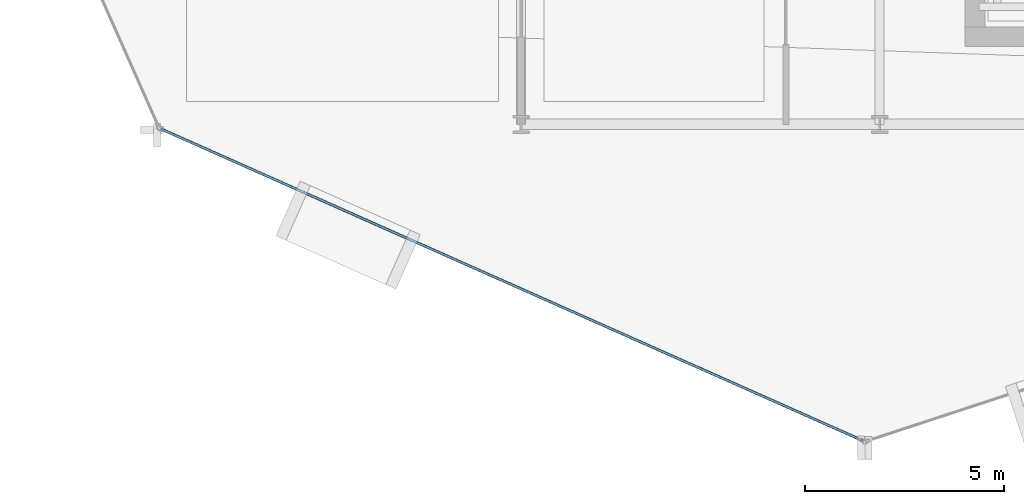
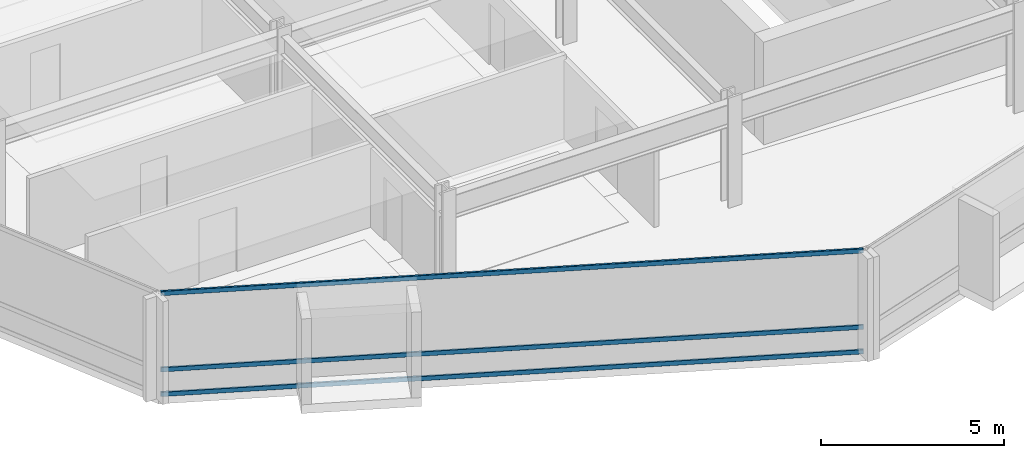
# One storey, part 3 of 28: 3 members, 1 element without a shape of its own.
"""IFC4 building model written with IfcOpenShell, lengths in metres."""

from ifc_helpers import new_model, si_unit, direction, frame, origin, origin_2d, place, context, subcontext, project, spatial, hollow_rectangle, extrude, material, layer, layer_set, material_profile, profile_set, type_object, element, aggregate, save


model = new_model("IFC4")

# Units and contexts
model_context = context("Model", 3, precision=1e-05, world=origin(), true_north=direction((0.0, 1.0)))
body_context = subcontext(model_context, "Body", "Model", "MODEL_VIEW")
ifc_project = project(units=[si_unit("LENGTHUNIT", "METRE"), si_unit("AREAUNIT", "SQUARE_METRE"), si_unit("VOLUMEUNIT", "CUBIC_METRE"), si_unit("PLANEANGLEUNIT", "RADIAN"), si_unit("MASSUNIT", "GRAM", prefix="KILO")], contexts=[model_context])

# Site, building, storey
site_placement = place(None, origin())
site = spatial("IfcSite", under=ifc_project, at=site_placement, CompositionType="ELEMENT")
building_placement = place(site_placement, origin())
building = spatial("IfcBuilding", under=site, at=building_placement, Name="Solvaryn Broadcast Tower", CompositionType="ELEMENT")
storey_placement = place(building_placement, frame((0.0, 0.0, 132.199951171875)))
storey = spatial("IfcBuildingStorey", under=building, at=storey_placement, Name="L32", CompositionType="ELEMENT", Elevation=132.199951171875)

# Curtain wall, members
ifc_material_1 = material(Name="Aluminium and Terracotta Unitised Curtain Wall", Category="masonry")
ifc_layer = layer(ifc_material_1, 0.199951171875)
ifc_layer_set = layer_set([ifc_layer], Name="CW-SYS2-LOWMID")
curtain_wall_type = type_object("IfcCurtainWallType", Name="CW-SYS2-LOWMID", PredefinedType="NOTDEFINED", material=ifc_layer_set)
curtain_wall_placement = place(storey_placement, origin())
curtain_wall = element("IfcCurtainWall", 1, at=curtain_wall_placement, inside=storey, type_object=curtain_wall_type, Name="L32 Curtain Wall DR3", PredefinedType="NOTDEFINED")
ifc_material_2 = material(Name="Anodised Aluminium 6063-T6", Category="aluminium")
ifc_material_profile = material_profile(ifc_material_2, hollow_rectangle(XDim=0.06494140625, YDim=0.14990234375, WallThickness=0.00390625, InnerFilletRadius=0.00390625, OuterFilletRadius=0.008056640625, at=origin_2d()))
ifc_profile_set = profile_set([ifc_material_profile], Name="Anodised Aluminium 6063-T6")
member_type = type_object("IfcMemberType", Name="CW-TRN-150", PredefinedType="USERDEFINED", material=ifc_profile_set)
member_1_placement = place(storey_placement, frame((8.962890625, 8.883544921875, 0.030029296875), z_axis=(0.913909703223, -0.405917546252, 0.0), x_axis=(0.405917546252, 0.913909703223, 0.0)))
member_1 = element("IfcMember", 2, at=member_1_placement, type_object=member_type, Name="CWS2 transom 1.1", ObjectType="TRANSOM", PredefinedType="USERDEFINED", context=body_context, shape_type="SweptSolid", body=[
    extrude(hollow_rectangle(XDim=0.06494140625, YDim=0.14990234375, WallThickness=0.00390625, InnerFilletRadius=0.00390625, OuterFilletRadius=0.008056640625, at=origin_2d()), origin(), (0.0, 0.0, 1.0), 19.27783203125),
])
member_2_placement = place(storey_placement, frame((8.962890625, 8.883544921875, 0.85009765625), z_axis=(0.913909703223, -0.405917546252, 0.0), x_axis=(0.405917546252, 0.913909703223, 0.0)))
member_2 = element("IfcMember", 3, at=member_2_placement, type_object=member_type, Name="CWS2 transom 1.2", ObjectType="TRANSOM", PredefinedType="USERDEFINED", context=body_context, shape_type="SweptSolid", body=[
    extrude(hollow_rectangle(XDim=0.06494140625, YDim=0.14990234375, WallThickness=0.00390625, InnerFilletRadius=0.00390625, OuterFilletRadius=0.008056640625, at=origin_2d()), origin(), (0.0, 0.0, 1.0), 19.27783203125),
])
member_3_placement = place(storey_placement, frame((8.962890625, 8.883544921875, 3.39013671875), z_axis=(0.913909703223, -0.405917546252, 0.0), x_axis=(0.405917546252, 0.913909703223, 0.0)))
member_3 = element("IfcMember", 4, at=member_3_placement, type_object=member_type, Name="CWS2 transom 1.3", ObjectType="TRANSOM", PredefinedType="USERDEFINED", context=body_context, shape_type="SweptSolid", body=[
    extrude(hollow_rectangle(XDim=0.06494140625, YDim=0.14990234375, WallThickness=0.00390625, InnerFilletRadius=0.00390625, OuterFilletRadius=0.008056640625, at=origin_2d()), origin(), (0.0, 0.0, 1.0), 19.27783203125),
])
aggregate(curtain_wall, [member_1, member_2, member_3])

save(model, "model.ifc")
